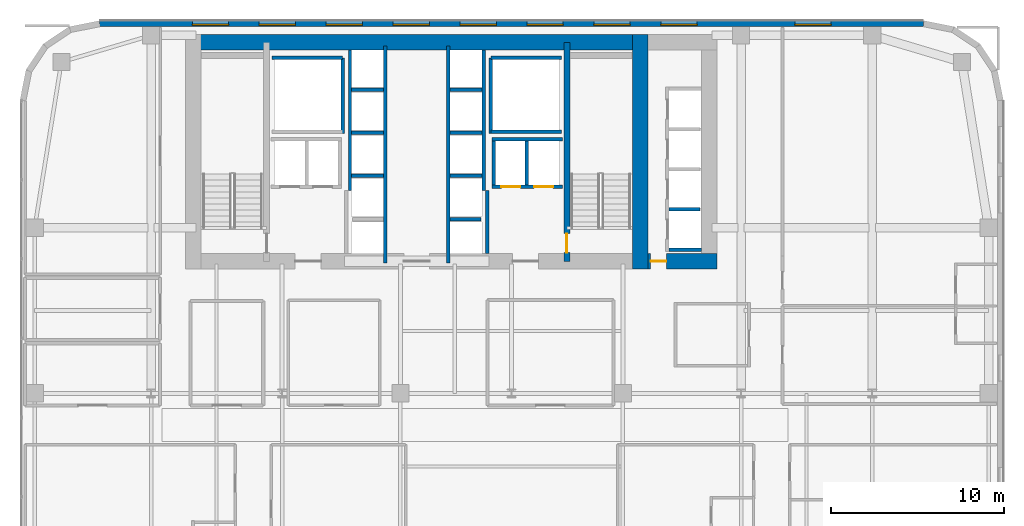
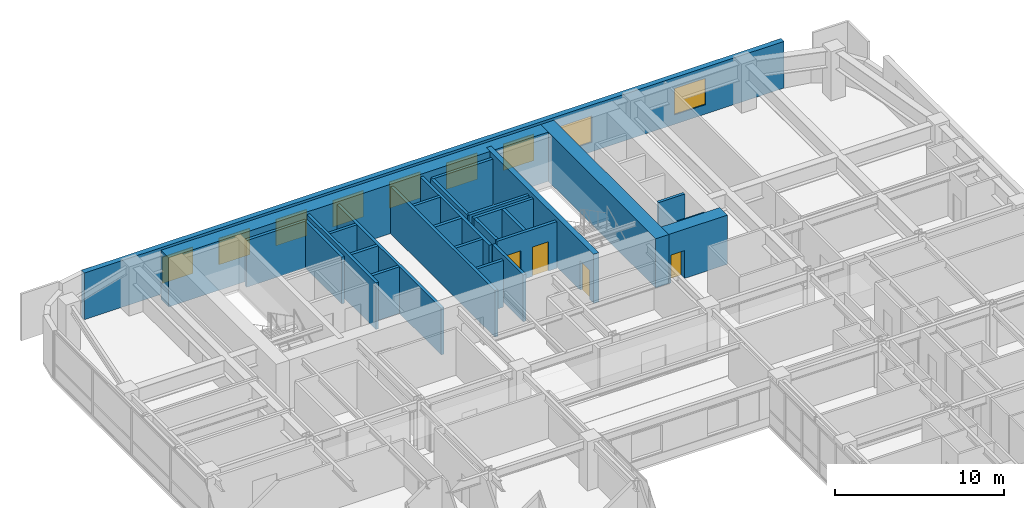
# One storey, part 31 of 37: 28 walls, 9 windows, 4 doors, 13 openings.
"""IFC4 building model written with IfcOpenShell, lengths in metres."""

from ifc_helpers import new_model, si_unit, direction, frame, frame_2d, origin, place, context, subcontext, project, spatial, rectangle, extrude, source, transform, mapped, material, layer, layer_set, type_object, type_shapes, element, fill, save


model = new_model("IFC4")

# Units and contexts
model_context = context("Model", 3, precision=1e-05, world=origin(), true_north=direction((0.0, 1.0)))
body_context = subcontext(model_context, "Body", "Model", "MODEL_VIEW")
ifc_project = project(units=[si_unit("LENGTHUNIT", "METRE"), si_unit("AREAUNIT", "SQUARE_METRE"), si_unit("VOLUMEUNIT", "CUBIC_METRE"), si_unit("PLANEANGLEUNIT", "RADIAN"), si_unit("MASSUNIT", "GRAM", prefix="KILO")], contexts=[model_context])

# Site, building, storey
site_placement = place(None, origin())
site = spatial("IfcSite", under=ifc_project, at=site_placement, CompositionType="ELEMENT")
building_placement = place(site_placement, origin())
building = spatial("IfcBuilding", under=site, at=building_placement, Name="Tolvann Quenvar Hotel", CompositionType="ELEMENT")
storey_placement = place(building_placement, frame((0.0, 0.0, 53.300048828125)))
storey = spatial("IfcBuildingStorey", under=building, at=storey_placement, Name="L12", CompositionType="ELEMENT", Elevation=53.300048828125)

# Walls
ifc_material_1 = material(Name="Concrete S80 (80 MPa)", Category="concrete")
ifc_layer_1 = layer(ifc_material_1, 0.89990234375)
ifc_layer_set_1 = layer_set([ifc_layer_1], Name="Concrete S80 (80 MPa)")
wall_type_1 = type_object("IfcWallType", Name="WALL_CORE_900", PredefinedType="SHEAR", material=ifc_layer_set_1)
wall_1_placement = place(storey_placement, frame((9.60009765625, 44.75, 0.0), z_axis=(0.0, 0.0, 1.0), x_axis=(1.0, 0.0, 0.0)))
element("IfcWall", 1, at=wall_1_placement, inside=storey, type_object=wall_type_1, Name="Rear Core N Shear Wall (L12)", PredefinedType="SHEAR", context=body_context, shape_type="SweptSolid", body=[
    extrude(rectangle(XDim=26.7998046875, YDim=0.89990234375, at=frame_2d((13.39990234375, 0.0))), origin(), (0.0, 0.0, 1.0), 3.550048828125),
])
wall_2_placement = place(storey_placement, frame((35.949951171875, 31.60009765625, 0.0), z_axis=(0.0, 0.0, 1.0), x_axis=(0.0, 1.0, 0.0)))
element("IfcWall", 2, at=wall_2_placement, inside=storey, type_object=wall_type_1, Name="Rear Core E Shear Wall (L12)", PredefinedType="SHEAR", context=body_context, shape_type="SweptSolid", body=[
    extrude(rectangle(XDim=13.599853515625, YDim=0.89990234375, at=frame_2d((6.7998046875, 0.0))), origin(), (0.0, 0.0, 1.0), 3.550048828125),
])

# Wall, opening, door
wall_3_placement = place(storey_placement, frame((36.39990234375, 32.050048828125, 0.0), z_axis=(0.0, 0.0, 1.0), x_axis=(1.0, 0.0, 0.0)))
wall_3 = element("IfcWall", 3, at=wall_3_placement, inside=storey, type_object=wall_type_1, Name="Core East Annex Shear Wall ANN-S (L12)", PredefinedType="SHEAR", context=body_context, shape_type="SweptSolid", body=[
    extrude(rectangle(XDim=4.0, YDim=0.89990234375, at=frame_2d((2.0, 0.0))), origin(), (0.0, 0.0, 1.0), 3.550048828125),
])
opening_1_placement = place(wall_3_placement, frame((1.06982421875, 0.0, 0.0), z_axis=(0.0, 0.0, 1.0), x_axis=(-1.0, 0.0, 0.0)))
opening_1 = element("IfcOpeningElement", 4, at=opening_1_placement, cuts=wall_3, Name="Opening WD-01", PredefinedType="OPENING", context=body_context, shape_type="SweptSolid", body=[
    extrude(rectangle(XDim=0.919921875, YDim=2.010009765625, at=frame_2d((0.4599609375, 1.0048828125))), frame((0.0, 0.4599609375, 0.0), z_axis=(0.0, -1.0, 0.0), x_axis=(1.0, 0.0, 0.0)), (0.0, 0.0, 1.0), 0.919921875),
])
ifc_material_2 = material(Name="Solid-core American oak acoustic fire door leaf in steel frame", Category="steel")
door_type_1 = type_object("IfcDoorType", Name="DOOR_WC_920", OperationType="NOTDEFINED", PredefinedType="DOOR", material=ifc_material_2)
shared_shape_1 = source(origin(), body_context, "Body", "SweptSolid", [
    extrude(rectangle(XDim=0.919921875, YDim=2.010009765625, at=frame_2d((0.4599609375, 1.0048828125))), frame((0.0, 0.02490234375, 0.0), z_axis=(0.0, -1.0, 0.0), x_axis=(1.0, 0.0, 0.0)), (0.0, 0.0, 1.0), 0.050048828125),
])
type_shapes(door_type_1, [shared_shape_1])
door_1_placement = place(opening_1_placement, origin())
door_1 = element("IfcDoor", 5, at=door_1_placement, inside=storey, type_object=door_type_1, Name="Low-Rise Lift Lobby Fire Door (L12)", OperationType="SINGLE_SWING_RIGHT", OverallHeight=2.010009765625, OverallWidth=0.919921875, PredefinedType="DOOR", context=body_context, shape_type="MappedRepresentation", body=[
    mapped(shared_shape_1, transform((0.0, 0.0, 0.0), x_axis=(1.0, 0.0, 0.0), y_axis=(0.0, 1.0, 0.0), z_axis=(0.0, 0.0, 1.0), scale=1.0)),
])
fill(opening_1, door_1)

ifc_material_3 = material(Name="Concrete S65 (65 MPa)", Category="concrete")
ifc_layer_2 = layer(ifc_material_3, 0.35009765625)
ifc_layer_set_2 = layer_set([ifc_layer_2], Name="Concrete S65 (65 MPa)")
wall_type_2 = type_object("IfcWallType", Name="WALL_CORE_INT_350", PredefinedType="SHEAR", material=ifc_layer_set_2)
wall_4_placement = place(storey_placement, frame((31.699951171875, 32.050048828125, 0.0), z_axis=(0.0, 0.0, 1.0), x_axis=(0.0, 1.0, 0.0)))
wall_4 = element("IfcWall", 6, at=wall_4_placement, inside=storey, type_object=wall_type_2, Name="Core Internal Web Shear Wall WEB-E (L12)", PredefinedType="SHEAR", context=body_context, shape_type="SweptSolid", body=[
    extrude(rectangle(XDim=12.699951171875, YDim=0.35009765625, at=frame_2d((6.35009765625, 0.0))), origin(), (0.0, 0.0, 1.0), 3.550048828125),
])
opening_2_placement = place(wall_4_placement, frame((1.60009765625, 0.0, 0.0), z_axis=(0.0, 0.0, 1.0), x_axis=(-1.0, 0.0, 0.0)))
opening_2 = element("IfcOpeningElement", 7, at=opening_2_placement, cuts=wall_4, Name="Opening FD-120", PredefinedType="OPENING", context=body_context, shape_type="SweptSolid", body=[
    extrude(rectangle(XDim=1.10009765625, YDim=2.1201171875, at=frame_2d((0.550048828125, 1.06005859375))), frame((0.0, 0.18505859375, 0.0), z_axis=(0.0, -1.0, 0.0), x_axis=(1.0, 0.0, 0.0)), (0.0, 0.0, 1.0), 0.3701171875),
])
ifc_material_4 = material(Name="Pressed galvanised steel fire-rated door set", Category="steel")
door_type_2 = type_object("IfcDoorType", Name="DOOR_FIRE_STAIR_1100", OperationType="NOTDEFINED", PredefinedType="DOOR", material=ifc_material_4)
shared_shape_2 = source(origin(), body_context, "Body", "SweptSolid", [
    extrude(rectangle(XDim=1.10009765625, YDim=2.1201171875, at=frame_2d((0.550048828125, 1.06005859375))), frame((0.0, 0.02490234375, 0.0), z_axis=(0.0, -1.0, 0.0), x_axis=(1.0, 0.0, 0.0)), (0.0, 0.0, 1.0), 0.050048828125),
])
type_shapes(door_type_2, [shared_shape_2])
door_2_placement = place(opening_2_placement, origin())
door_2 = element("IfcDoor", 8, at=door_2_placement, inside=storey, type_object=door_type_2, Name="Exit Stair ST-C2 Fire Door (L12)", OperationType="SINGLE_SWING_RIGHT", OverallHeight=2.1201171875, OverallWidth=1.10009765625, PredefinedType="DOOR", context=body_context, shape_type="MappedRepresentation", body=[
    mapped(shared_shape_2, transform((0.0, 0.0, 0.0), x_axis=(1.0, 0.0, 0.0), y_axis=(0.0, 1.0, 0.0), z_axis=(0.0, 0.0, 1.0), scale=1.0)),
])
fill(opening_2, door_2)

# Wall, openings, windows
ifc_material_5 = material(Name="Kiln-fired red and buff architectural clay brickwork and terracotta masonry", Category="masonry")
ifc_layer_3 = layer(ifc_material_5, 0.35009765625)
ifc_layer_set_3 = layer_set([ifc_layer_3], Name="Kiln-fired red and buff architectural clay brickwork and terracotta masonry")
wall_type_3 = type_object("IfcWallType", Name="WALL_EXT_BRICK_350", PredefinedType="SOLIDWALL", material=ifc_layer_set_3)
wall_5_placement = place(storey_placement, frame((52.3828125, 45.824951171875, 0.0), z_axis=(0.0, 0.0, 1.0), x_axis=(-1.0, 0.0, 0.0)))
wall_5 = element("IfcWall", 9, at=wall_5_placement, inside=storey, type_object=wall_type_3, Name="Exterior Chicago Brick Wall L12-E18", PredefinedType="SOLIDWALL", context=body_context, shape_type="SweptSolid", body=[
    extrude(rectangle(XDim=47.765625, YDim=0.35009765625, at=frame_2d((23.8828125, 0.0))), origin(), (0.0, 0.0, 1.0), 3.369873046875),
])
opening_3_placement = place(wall_5_placement, frame((5.37109375, 0.0, 0.679931640625)))
opening_3 = element("IfcOpeningElement", 10, at=opening_3_placement, cuts=wall_5, Name="Opening W-02", PredefinedType="OPENING", context=body_context, shape_type="SweptSolid", body=[
    extrude(rectangle(XDim=2.10009765625, YDim=1.89990234375, at=frame_2d((1.050048828125, 0.949951171875))), frame((0.0, 0.18505859375, 0.0), z_axis=(0.0, -1.0, 0.0), x_axis=(1.0, 0.0, 0.0)), (0.0, 0.0, 1.0), 0.3701171875),
])
opening_4_placement = place(wall_5_placement, frame((13.132080078125, 0.0, 0.679931640625)))
opening_4 = element("IfcOpeningElement", 11, at=opening_4_placement, cuts=wall_5, Name="Opening W-02", PredefinedType="OPENING", context=body_context, shape_type="SweptSolid", body=[
    extrude(rectangle(XDim=2.10009765625, YDim=1.89990234375, at=frame_2d((1.050048828125, 0.949951171875))), frame((0.0, 0.18505859375, 0.0), z_axis=(0.0, -1.0, 0.0), x_axis=(1.0, 0.0, 0.0)), (0.0, 0.0, 1.0), 0.3701171875),
])
opening_5_placement = place(wall_5_placement, frame((17.011962890625, 0.0, 0.679931640625)))
opening_5 = element("IfcOpeningElement", 12, at=opening_5_placement, cuts=wall_5, Name="Opening W-02", PredefinedType="OPENING", context=body_context, shape_type="SweptSolid", body=[
    extrude(rectangle(XDim=2.10009765625, YDim=1.89990234375, at=frame_2d((1.050048828125, 0.949951171875))), frame((0.0, 0.18505859375, 0.0), z_axis=(0.0, -1.0, 0.0), x_axis=(1.0, 0.0, 0.0)), (0.0, 0.0, 1.0), 0.3701171875),
])
opening_6_placement = place(wall_5_placement, frame((20.89306640625, 0.0, 0.679931640625)))
opening_6 = element("IfcOpeningElement", 13, at=opening_6_placement, cuts=wall_5, Name="Opening W-02", PredefinedType="OPENING", context=body_context, shape_type="SweptSolid", body=[
    extrude(rectangle(XDim=2.10009765625, YDim=1.89990234375, at=frame_2d((1.050048828125, 0.949951171875))), frame((0.0, 0.18505859375, 0.0), z_axis=(0.0, -1.0, 0.0), x_axis=(1.0, 0.0, 0.0)), (0.0, 0.0, 1.0), 0.3701171875),
])
opening_7_placement = place(wall_5_placement, frame((24.77294921875, 0.0, 0.679931640625)))
opening_7 = element("IfcOpeningElement", 14, at=opening_7_placement, cuts=wall_5, Name="Opening W-02", PredefinedType="OPENING", context=body_context, shape_type="SweptSolid", body=[
    extrude(rectangle(XDim=2.10009765625, YDim=1.89990234375, at=frame_2d((1.050048828125, 0.949951171875))), frame((0.0, 0.18505859375, 0.0), z_axis=(0.0, -1.0, 0.0), x_axis=(1.0, 0.0, 0.0)), (0.0, 0.0, 1.0), 0.3701171875),
])
opening_8_placement = place(wall_5_placement, frame((28.654052734375, 0.0, 0.679931640625)))
opening_8 = element("IfcOpeningElement", 15, at=opening_8_placement, cuts=wall_5, Name="Opening W-02", PredefinedType="OPENING", context=body_context, shape_type="SweptSolid", body=[
    extrude(rectangle(XDim=2.10009765625, YDim=1.89990234375, at=frame_2d((1.050048828125, 0.949951171875))), frame((0.0, 0.18505859375, 0.0), z_axis=(0.0, -1.0, 0.0), x_axis=(1.0, 0.0, 0.0)), (0.0, 0.0, 1.0), 0.3701171875),
])
opening_9_placement = place(wall_5_placement, frame((32.533935546875, 0.0, 0.679931640625)))
opening_9 = element("IfcOpeningElement", 16, at=opening_9_placement, cuts=wall_5, Name="Opening W-02", PredefinedType="OPENING", context=body_context, shape_type="SweptSolid", body=[
    extrude(rectangle(XDim=2.10009765625, YDim=1.89990234375, at=frame_2d((1.050048828125, 0.949951171875))), frame((0.0, 0.18505859375, 0.0), z_axis=(0.0, -1.0, 0.0), x_axis=(1.0, 0.0, 0.0)), (0.0, 0.0, 1.0), 0.3701171875),
])
opening_10_placement = place(wall_5_placement, frame((36.4140625, 0.0, 0.679931640625)))
opening_10 = element("IfcOpeningElement", 17, at=opening_10_placement, cuts=wall_5, Name="Opening W-02", PredefinedType="OPENING", context=body_context, shape_type="SweptSolid", body=[
    extrude(rectangle(XDim=2.10009765625, YDim=1.89990234375, at=frame_2d((1.050048828125, 0.949951171875))), frame((0.0, 0.18505859375, 0.0), z_axis=(0.0, -1.0, 0.0), x_axis=(1.0, 0.0, 0.0)), (0.0, 0.0, 1.0), 0.3701171875),
])
opening_11_placement = place(wall_5_placement, frame((40.294921875, 0.0, 0.679931640625)))
opening_11 = element("IfcOpeningElement", 18, at=opening_11_placement, cuts=wall_5, Name="Opening W-02", PredefinedType="OPENING", context=body_context, shape_type="SweptSolid", body=[
    extrude(rectangle(XDim=2.10009765625, YDim=1.89990234375, at=frame_2d((1.050048828125, 0.949951171875))), frame((0.0, 0.18505859375, 0.0), z_axis=(0.0, -1.0, 0.0), x_axis=(1.0, 0.0, 0.0)), (0.0, 0.0, 1.0), 0.3701171875),
])
ifc_material_6 = material(Name="Thermally broken bronze-anodised aluminium frame with double low-E glazing", Category="aluminium")
window_type = type_object("IfcWindowType", Name="WIN_CHI_2100x2050", PartitioningType="TRIPLE_PANEL_HORIZONTAL", PredefinedType="WINDOW", material=ifc_material_6)
shared_shape_3 = source(origin(), body_context, "Body", "SweptSolid", [
    extrude(rectangle(XDim=2.10009765625, YDim=1.89990234375, at=frame_2d((1.050048828125, 0.949951171875))), frame((0.0, 0.090087890625, 0.0), z_axis=(0.0, -1.0, 0.0), x_axis=(1.0, 0.0, 0.0)), (0.0, 0.0, 1.0), 0.06005859375),
])
type_shapes(window_type, [shared_shape_3])
window_1_placement = place(opening_3_placement, origin())
window_1 = element("IfcWindow", 19, at=window_1_placement, inside=storey, type_object=window_type, Name="Chicago Window W-02 (EW-L12-E18-W01)", OverallHeight=1.89990234375, OverallWidth=2.10009765625, PartitioningType="TRIPLE_PANEL_HORIZONTAL", PredefinedType="WINDOW", context=body_context, shape_type="MappedRepresentation", body=[
    mapped(shared_shape_3, transform((0.0, 0.0, 0.0), x_axis=(1.0, 0.0, 0.0), y_axis=(0.0, 1.0, 0.0), z_axis=(0.0, 0.0, 1.0), scale=1.0)),
])
fill(opening_3, window_1)
window_2_placement = place(opening_4_placement, origin())
window_2 = element("IfcWindow", 20, at=window_2_placement, inside=storey, type_object=window_type, Name="Chicago Window W-02 (EW-L12-E18-W02)", OverallHeight=1.89990234375, OverallWidth=2.10009765625, PartitioningType="TRIPLE_PANEL_HORIZONTAL", PredefinedType="WINDOW", context=body_context, shape_type="MappedRepresentation", body=[
    mapped(shared_shape_3, transform((0.0, 0.0, 0.0), x_axis=(1.0, 0.0, 0.0), y_axis=(0.0, 1.0, 0.0), z_axis=(0.0, 0.0, 1.0), scale=1.0)),
])
fill(opening_4, window_2)
window_3_placement = place(opening_5_placement, origin())
window_3 = element("IfcWindow", 21, at=window_3_placement, inside=storey, type_object=window_type, Name="Chicago Window W-02 (EW-L12-E18-W03)", OverallHeight=1.89990234375, OverallWidth=2.10009765625, PartitioningType="TRIPLE_PANEL_HORIZONTAL", PredefinedType="WINDOW", context=body_context, shape_type="MappedRepresentation", body=[
    mapped(shared_shape_3, transform((0.0, 0.0, 0.0), x_axis=(1.0, 0.0, 0.0), y_axis=(0.0, 1.0, 0.0), z_axis=(0.0, 0.0, 1.0), scale=1.0)),
])
fill(opening_5, window_3)
window_4_placement = place(opening_6_placement, origin())
window_4 = element("IfcWindow", 22, at=window_4_placement, inside=storey, type_object=window_type, Name="Chicago Window W-02 (EW-L12-E18-W04)", OverallHeight=1.89990234375, OverallWidth=2.10009765625, PartitioningType="TRIPLE_PANEL_HORIZONTAL", PredefinedType="WINDOW", context=body_context, shape_type="MappedRepresentation", body=[
    mapped(shared_shape_3, transform((0.0, 0.0, 0.0), x_axis=(1.0, 0.0, 0.0), y_axis=(0.0, 1.0, 0.0), z_axis=(0.0, 0.0, 1.0), scale=1.0)),
])
fill(opening_6, window_4)
window_5_placement = place(opening_7_placement, origin())
window_5 = element("IfcWindow", 23, at=window_5_placement, inside=storey, type_object=window_type, Name="Chicago Window W-02 (EW-L12-E18-W05)", OverallHeight=1.89990234375, OverallWidth=2.10009765625, PartitioningType="TRIPLE_PANEL_HORIZONTAL", PredefinedType="WINDOW", context=body_context, shape_type="MappedRepresentation", body=[
    mapped(shared_shape_3, transform((0.0, 0.0, 0.0), x_axis=(1.0, 0.0, 0.0), y_axis=(0.0, 1.0, 0.0), z_axis=(0.0, 0.0, 1.0), scale=1.0)),
])
fill(opening_7, window_5)
window_6_placement = place(opening_8_placement, origin())
window_6 = element("IfcWindow", 24, at=window_6_placement, inside=storey, type_object=window_type, Name="Chicago Window W-02 (EW-L12-E18-W06)", OverallHeight=1.89990234375, OverallWidth=2.10009765625, PartitioningType="TRIPLE_PANEL_HORIZONTAL", PredefinedType="WINDOW", context=body_context, shape_type="MappedRepresentation", body=[
    mapped(shared_shape_3, transform((0.0, 0.0, 0.0), x_axis=(1.0, 0.0, 0.0), y_axis=(0.0, 1.0, 0.0), z_axis=(0.0, 0.0, 1.0), scale=1.0)),
])
fill(opening_8, window_6)
window_7_placement = place(opening_9_placement, origin())
window_7 = element("IfcWindow", 25, at=window_7_placement, inside=storey, type_object=window_type, Name="Chicago Window W-02 (EW-L12-E18-W07)", OverallHeight=1.89990234375, OverallWidth=2.10009765625, PartitioningType="TRIPLE_PANEL_HORIZONTAL", PredefinedType="WINDOW", context=body_context, shape_type="MappedRepresentation", body=[
    mapped(shared_shape_3, transform((0.0, 0.0, 0.0), x_axis=(1.0, 0.0, 0.0), y_axis=(0.0, 1.0, 0.0), z_axis=(0.0, 0.0, 1.0), scale=1.0)),
])
fill(opening_9, window_7)
window_8_placement = place(opening_10_placement, origin())
window_8 = element("IfcWindow", 26, at=window_8_placement, inside=storey, type_object=window_type, Name="Chicago Window W-02 (EW-L12-E18-W08)", OverallHeight=1.89990234375, OverallWidth=2.10009765625, PartitioningType="TRIPLE_PANEL_HORIZONTAL", PredefinedType="WINDOW", context=body_context, shape_type="MappedRepresentation", body=[
    mapped(shared_shape_3, transform((0.0, 0.0, 0.0), x_axis=(1.0, 0.0, 0.0), y_axis=(0.0, 1.0, 0.0), z_axis=(0.0, 0.0, 1.0), scale=1.0)),
])
fill(opening_10, window_8)
window_9_placement = place(opening_11_placement, origin())
window_9 = element("IfcWindow", 27, at=window_9_placement, inside=storey, type_object=window_type, Name="Chicago Window W-02 (EW-L12-E18-W09)", OverallHeight=1.89990234375, OverallWidth=2.10009765625, PartitioningType="TRIPLE_PANEL_HORIZONTAL", PredefinedType="WINDOW", context=body_context, shape_type="MappedRepresentation", body=[
    mapped(shared_shape_3, transform((0.0, 0.0, 0.0), x_axis=(1.0, 0.0, 0.0), y_axis=(0.0, 1.0, 0.0), z_axis=(0.0, 0.0, 1.0), scale=1.0)),
])
fill(opening_11, window_9)

# Walls
ifc_material_7 = material(Name="Concrete N40 (40 MPa)", Category="concrete")
ifc_layer_4 = layer(ifc_material_7, 0.199951171875)
ifc_layer_set_4 = layer_set([ifc_layer_4], Name="Concrete N40 (40 MPa)")
wall_type_4 = type_object("IfcWallType", Name="WALL_SHAFT_200", PredefinedType="SOLIDWALL", material=ifc_layer_set_4)
wall_6_placement = place(storey_placement, frame((18.699951171875, 39.449951171875, 0.0), z_axis=(0.0, 0.0, 1.0), x_axis=(0.0, 1.0, 0.0)))
element("IfcWall", 28, at=wall_6_placement, inside=storey, type_object=wall_type_4, Name="Service Riser W Shaft Wall IN (L12)", PredefinedType="SOLIDWALL", context=body_context, shape_type="SweptSolid", body=[
    extrude(rectangle(XDim=4.400146484375, YDim=0.199951171875, at=frame_2d((2.2001953125, 0.0))), origin(), (0.0, 0.0, 1.0), 3.369873046875),
])
wall_7_placement = place(storey_placement, frame((14.60009765625, 43.85009765625, 0.0), z_axis=(0.0, 0.0, 1.0), x_axis=(1.0, 0.0, 0.0)))
element("IfcWall", 29, at=wall_7_placement, inside=storey, type_object=wall_type_4, Name="Service Riser W Shaft Wall N (L12)", PredefinedType="SOLIDWALL", context=body_context, shape_type="SweptSolid", body=[
    extrude(rectangle(XDim=4.099853515625, YDim=0.199951171875, at=frame_2d((2.0498046875, 0.0))), origin(), (0.0, 0.0, 1.0), 3.369873046875),
])
wall_8_placement = place(storey_placement, frame((27.300048828125, 39.449951171875, 0.0), z_axis=(0.0, 0.0, 1.0), x_axis=(0.0, 1.0, 0.0)))
element("IfcWall", 30, at=wall_8_placement, inside=storey, type_object=wall_type_4, Name="Service Riser E Shaft Wall IN (L12)", PredefinedType="SOLIDWALL", context=body_context, shape_type="SweptSolid", body=[
    extrude(rectangle(XDim=4.400146484375, YDim=0.199951171875, at=frame_2d((2.2001953125, 0.0))), origin(), (0.0, 0.0, 1.0), 3.369873046875),
])
for number, where, z_axis, x_axis, name in (
    (31, (27.300048828125, 39.550048828125, 0.0), (0.0, 0.0, 1.0), (1.0, 0.0, 0.0), "Service Riser E Shaft Wall S (L12)"),
    (32, (27.300048828125, 43.85009765625, 0.0), (0.0, 0.0, 1.0), (1.0, 0.0, 0.0), "Service Riser E Shaft Wall N (L12)"),
):
    element("IfcWall", number, at=place(storey_placement, frame(where, z_axis=z_axis, x_axis=x_axis)), inside=storey, type_object=wall_type_4, Name=name, PredefinedType="SOLIDWALL", context=body_context, shape_type="SweptSolid", body=[
        extrude(rectangle(XDim=4.099853515625, YDim=0.199951171875, at=frame_2d((2.0498046875, 0.0))), origin(), (0.0, 0.0, 1.0), 3.369873046875),
    ])
wall_9_placement = place(storey_placement, frame((27.080078125, 32.50390625, 0.0), z_axis=(0.0, 0.0, 1.0), x_axis=(0.0, 1.0, 0.0)))
element("IfcWall", 33, at=wall_9_placement, inside=storey, type_object=wall_type_4, Name="Firefighting Lobby E Inner Fire Wall (L12)", PredefinedType="SOLIDWALL", context=body_context, shape_type="SweptSolid", body=[
    extrude(rectangle(XDim=3.64599609375, YDim=0.199951171875, at=frame_2d((1.822998046875, 0.0))), origin(), (0.0, 0.0, 1.0), 3.369873046875),
])
wall_10_placement = place(storey_placement, frame((21.169921875, 31.9599609375, 0.0), z_axis=(0.0, 0.0, 1.0), x_axis=(0.0, 1.0, 0.0)))
element("IfcWall", 34, at=wall_10_placement, inside=storey, type_object=wall_type_4, Name="Lift Bank E21.1C1 Hoistway Front Wall (L12)", PredefinedType="SOLIDWALL", context=body_context, shape_type="SweptSolid", body=[
    extrude(rectangle(XDim=12.580078125, YDim=0.199951171875, at=frame_2d((6.2900390625, 0.0))), origin(), (0.0, 0.0, 1.0), 3.369873046875),
])
wall_11_placement = place(storey_placement, frame((19.1298828125, 36.159912109375, 0.0), z_axis=(0.0, 0.0, 1.0), x_axis=(0.0, 1.0, 0.0)))
element("IfcWall", 35, at=wall_11_placement, inside=storey, type_object=wall_type_4, Name="Lift Bank E21.1C1 Hoistway Rear Wall (L12)", PredefinedType="SOLIDWALL", context=body_context, shape_type="SweptSolid", body=[
    extrude(rectangle(XDim=8.135986328125, YDim=0.199951171875, at=frame_2d((4.06787109375, 0.0))), origin(), (0.0, 0.0, 1.0), 3.369873046875),
])
for number, where, z_axis, x_axis, name in (
    (36, (19.22998046875, 37.0, 0.0), (0.0, 0.0, 1.0), (1.0, 0.0, 0.0), "Lift Bank E21.1C1 Divider Wall 2 (L12)"),
    (37, (19.22998046875, 39.5, 0.0), (0.0, 0.0, 1.0), (1.0, 0.0, 0.0), "Lift Bank E21.1C1 Divider Wall 3 (L12)"),
    (38, (19.22998046875, 42.0, 0.0), (0.0, 0.0, 1.0), (1.0, 0.0, 0.0), "Lift Bank E21.1C1 Divider Wall 4 (L12)"),
):
    element("IfcWall", number, at=place(storey_placement, frame(where, z_axis=z_axis, x_axis=x_axis)), inside=storey, type_object=wall_type_4, Name=name, PredefinedType="SOLIDWALL", context=body_context, shape_type="SweptSolid", body=[
        extrude(rectangle(XDim=1.840087890625, YDim=0.199951171875, at=frame_2d((0.919921875, 0.0))), origin(), (0.0, 0.0, 1.0), 3.369873046875),
    ])

# Wall, openings, doors
wall_12_placement = place(storey_placement, frame((27.375, 36.3798828125, 0.0), z_axis=(0.0, 0.0, 1.0), x_axis=(1.0, 0.0, 0.0)))
wall_12 = element("IfcWall", 39, at=wall_12_placement, inside=storey, type_object=wall_type_4, Name="Lift Bank SEC1 Hoistway Front Wall (L12)", PredefinedType="SOLIDWALL", context=body_context, shape_type="SweptSolid", body=[
    extrude(rectangle(XDim=4.074951171875, YDim=0.199951171875, at=frame_2d((2.03759765625, 0.0))), origin(), (0.0, 0.0, 1.0), 3.369873046875),
])
opening_12_placement = place(wall_12_placement, frame((0.52490234375, 0.0, 0.0)))
opening_12 = element("IfcOpeningElement", 40, at=opening_12_placement, cuts=wall_12, Name="Opening LD-01", PredefinedType="OPENING", context=body_context, shape_type="SweptSolid", body=[
    extrude(rectangle(XDim=1.10009765625, YDim=2.1201171875, at=frame_2d((0.550048828125, 1.06005859375))), frame((0.0, 0.10986328125, 0.0), z_axis=(0.0, -1.0, 0.0), x_axis=(1.0, 0.0, 0.0)), (0.0, 0.0, 1.0), 0.219970703125),
])
opening_13_placement = place(wall_12_placement, frame((2.425048828125, 0.0, 0.0)))
opening_13 = element("IfcOpeningElement", 41, at=opening_13_placement, cuts=wall_12, Name="Opening LD-01", PredefinedType="OPENING", context=body_context, shape_type="SweptSolid", body=[
    extrude(rectangle(XDim=1.10009765625, YDim=2.1201171875, at=frame_2d((0.550048828125, 1.06005859375))), frame((0.0, 0.10986328125, 0.0), z_axis=(0.0, -1.0, 0.0), x_axis=(1.0, 0.0, 0.0)), (0.0, 0.0, 1.0), 0.219970703125),
])
ifc_material_8 = material(Name="Brushed 316 stainless steel automatic sliding lift landing door", Category="steel")
door_type_3 = type_object("IfcDoorType", Name="DOOR_LIFT_SLIDE_1100", OperationType="NOTDEFINED", PredefinedType="DOOR", material=ifc_material_8)
shared_shape_4 = source(origin(), body_context, "Body", "SweptSolid", [
    extrude(rectangle(XDim=1.10009765625, YDim=2.1201171875, at=frame_2d((0.550048828125, 1.06005859375))), frame((0.0, 0.02490234375, 0.0), z_axis=(0.0, -1.0, 0.0), x_axis=(1.0, 0.0, 0.0)), (0.0, 0.0, 1.0), 0.050048828125),
])
type_shapes(door_type_3, [shared_shape_4])
door_3_placement = place(opening_12_placement, origin())
door_3 = element("IfcDoor", 42, at=door_3_placement, inside=storey, type_object=door_type_3, Name="Lift SV-2 Sliding Landing Door (L12)", OperationType="SLIDING_TO_LEFT", OverallHeight=2.1201171875, OverallWidth=1.10009765625, PredefinedType="DOOR", context=body_context, shape_type="MappedRepresentation", body=[
    mapped(shared_shape_4, transform((0.0, 0.0, 0.0), x_axis=(1.0, 0.0, 0.0), y_axis=(0.0, 1.0, 0.0), z_axis=(0.0, 0.0, 1.0), scale=1.0)),
])
fill(opening_12, door_3)
door_4_placement = place(opening_13_placement, origin())
door_4 = element("IfcDoor", 43, at=door_4_placement, inside=storey, type_object=door_type_3, Name="Lift FF-2 Sliding Landing Door (L12)", OperationType="SLIDING_TO_RIGHT", OverallHeight=2.1201171875, OverallWidth=1.10009765625, PredefinedType="DOOR", context=body_context, shape_type="MappedRepresentation", body=[
    mapped(shared_shape_4, transform((0.0, 0.0, 0.0), x_axis=(1.0, 0.0, 0.0), y_axis=(0.0, 1.0, 0.0), z_axis=(0.0, 0.0, 1.0), scale=1.0)),
])
fill(opening_13, door_4)

# Walls
wall_13_placement = place(storey_placement, frame((27.375, 39.1201171875, 0.0), z_axis=(0.0, 0.0, 1.0), x_axis=(1.0, 0.0, 0.0)))
element("IfcWall", 44, at=wall_13_placement, inside=storey, type_object=wall_type_4, Name="Lift Bank SEC1 Hoistway Rear Wall (L12)", PredefinedType="SOLIDWALL", context=body_context, shape_type="SweptSolid", body=[
    extrude(rectangle(XDim=4.074951171875, YDim=0.199951171875, at=frame_2d((2.03759765625, 0.0))), origin(), (0.0, 0.0, 1.0), 3.369873046875),
])
for number, where, z_axis, x_axis, name in (
    (45, (27.47509765625, 36.47998046875, 0.0), (0.0, 0.0, 1.0), (0.0, 1.0, 0.0), "Lift Bank SEC1 Hoistway Cheek Wall 1 (L12)"),
    (46, (29.387451171875, 36.47998046875, 0.0), (0.0, 0.0, 1.0), (0.0, 1.0, 0.0), "Lift Bank SEC1 Divider Wall 1 (L12)"),
):
    element("IfcWall", number, at=place(storey_placement, frame(where, z_axis=z_axis, x_axis=x_axis)), inside=storey, type_object=wall_type_4, Name=name, PredefinedType="SOLIDWALL", context=body_context, shape_type="SweptSolid", body=[
        extrude(rectangle(XDim=2.5400390625, YDim=0.199951171875, at=frame_2d((1.27001953125, 0.0))), origin(), (0.0, 0.0, 1.0), 3.369873046875),
    ])
wall_14_placement = place(storey_placement, frame((24.830078125, 31.9599609375, 0.0), z_axis=(0.0, 0.0, 1.0), x_axis=(0.0, 1.0, 0.0)))
element("IfcWall", 47, at=wall_14_placement, inside=storey, type_object=wall_type_4, Name="Lift Bank W24.9C1 Hoistway Front Wall (L12)", PredefinedType="SOLIDWALL", context=body_context, shape_type="SweptSolid", body=[
    extrude(rectangle(XDim=12.580078125, YDim=0.199951171875, at=frame_2d((6.2900390625, 0.0))), origin(), (0.0, 0.0, 1.0), 3.369873046875),
])
wall_15_placement = place(storey_placement, frame((26.8701171875, 36.159912109375, 0.0), z_axis=(0.0, 0.0, 1.0), x_axis=(0.0, 1.0, 0.0)))
element("IfcWall", 48, at=wall_15_placement, inside=storey, type_object=wall_type_4, Name="Lift Bank W24.9C1 Hoistway Rear Wall (L12)", PredefinedType="SOLIDWALL", context=body_context, shape_type="SweptSolid", body=[
    extrude(rectangle(XDim=8.135986328125, YDim=0.199951171875, at=frame_2d((4.06787109375, 0.0))), origin(), (0.0, 0.0, 1.0), 3.369873046875),
])
wall_16_placement = place(storey_placement, frame((24.929931640625, 34.5, 0.0), z_axis=(0.0, 0.0, 1.0), x_axis=(1.0, 0.0, 0.0)))
element("IfcWall", 49, at=wall_16_placement, inside=storey, type_object=wall_type_4, Name="Lift Bank W24.9C1 Divider Wall 1 (L12)", PredefinedType="SOLIDWALL", context=body_context, shape_type="SweptSolid", body=[
    extrude(rectangle(XDim=1.800048828125, YDim=0.199951171875, at=frame_2d((0.89990234375, 0.0))), origin(), (0.0, 0.0, 1.0), 3.369873046875),
])
for number, where, z_axis, x_axis, name in (
    (50, (24.929931640625, 37.0, 0.0), (0.0, 0.0, 1.0), (1.0, 0.0, 0.0), "Lift Bank W24.9C1 Divider Wall 2 (L12)"),
    (51, (24.929931640625, 39.5, 0.0), (0.0, 0.0, 1.0), (1.0, 0.0, 0.0), "Lift Bank W24.9C1 Divider Wall 3 (L12)"),
    (52, (24.929931640625, 42.0, 0.0), (0.0, 0.0, 1.0), (1.0, 0.0, 0.0), "Lift Bank W24.9C1 Divider Wall 4 (L12)"),
):
    element("IfcWall", number, at=place(storey_placement, frame(where, z_axis=z_axis, x_axis=x_axis)), inside=storey, type_object=wall_type_4, Name=name, PredefinedType="SOLIDWALL", context=body_context, shape_type="SweptSolid", body=[
        extrude(rectangle(XDim=1.840087890625, YDim=0.199951171875, at=frame_2d((0.919921875, 0.0))), origin(), (0.0, 0.0, 1.0), 3.369873046875),
    ])
wall_17_placement = place(storey_placement, frame((37.6298828125, 32.7099609375, 0.0), z_axis=(0.0, 0.0, 1.0), x_axis=(1.0, 0.0, 0.0)))
element("IfcWall", 53, at=wall_17_placement, inside=storey, type_object=wall_type_4, Name="Lift Bank W37.6C1 Hoistway Cheek Wall 1 (L12)", PredefinedType="SOLIDWALL", context=body_context, shape_type="SweptSolid", body=[
    extrude(rectangle(XDim=1.8701171875, YDim=0.199951171875, at=frame_2d((0.93505859375, 0.0))), origin(), (0.0, 0.0, 1.0), 3.369873046875),
])
wall_18_placement = place(storey_placement, frame((37.6298828125, 35.06005859375, 0.0), z_axis=(0.0, 0.0, 1.0), x_axis=(1.0, 0.0, 0.0)))
element("IfcWall", 54, at=wall_18_placement, inside=storey, type_object=wall_type_4, Name="Lift Bank W37.6C1 Divider Wall 1 (L12)", PredefinedType="SOLIDWALL", context=body_context, shape_type="SweptSolid", body=[
    extrude(rectangle(XDim=1.800048828125, YDim=0.199951171875, at=frame_2d((0.89990234375, 0.0))), origin(), (0.0, 0.0, 1.0), 3.369873046875),
])

save(model, "model.ifc")
